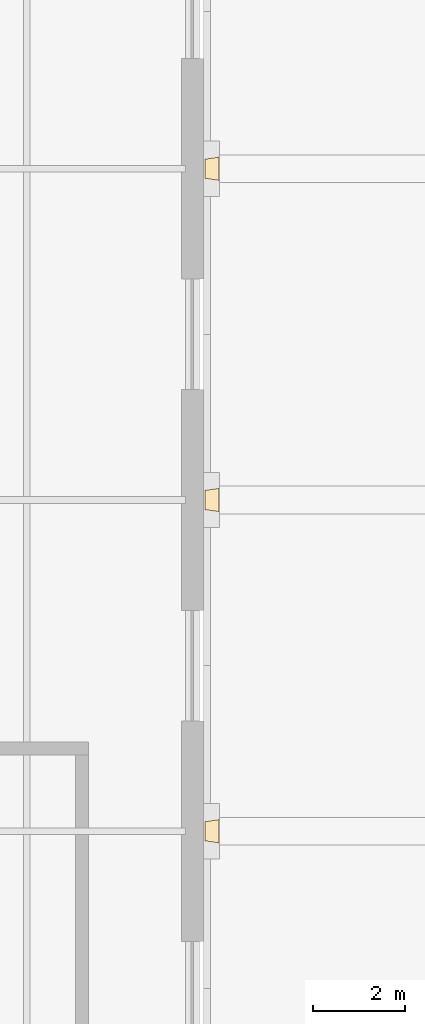
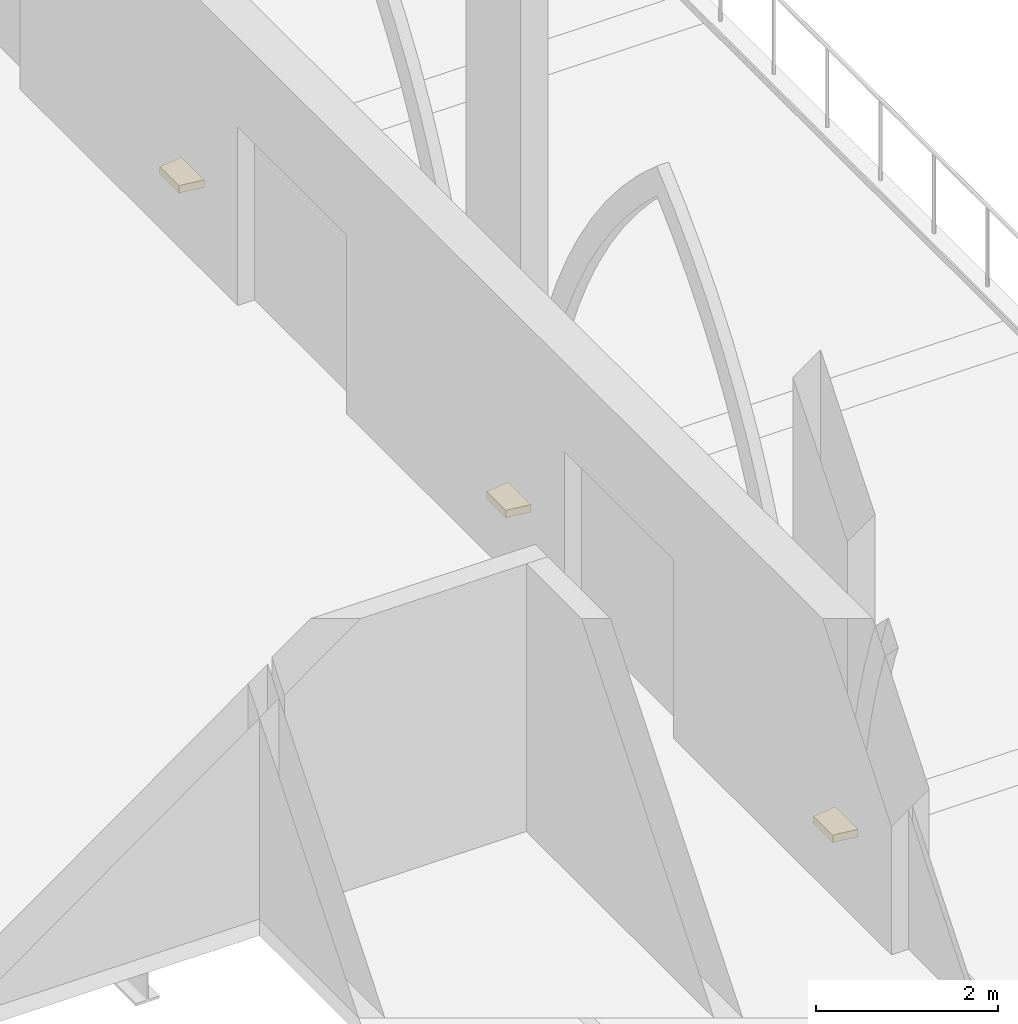
# One storey, part 138 of 143: 3 coverings.
"""IFC4 building model written with IfcOpenShell, lengths in metres."""

import ifcopenshell
import ifcopenshell.guid

model = None  # the IFC model being written
_history = None  # IfcOwnerHistory: only IFC2X3 demands one
_inside = {}  # id of a spatial element -> (the spatial element, [elements in it])
_under = {}  # id of a project, library or spatial element -> (it, [spatial elements below it])
_declared = {}  # id of a project -> (the project, [libraries it declares])
_typed = {}  # id of a type object -> (the type object, [elements of that type])
_made_of = {}  # id of a material, layer set ... -> (it, [elements and type objects made of it])


def new_model(schema):
    """Start an empty IFC model of exactly this schema.

    Asked for "IFC4X3", IfcOpenShell would pick the latest addendum, in which some entities
    have other attributes; the version numbers below select the first issue.
    IFC2X3 requires an IfcOwnerHistory on every rooted entity: one is made here for all.
    """
    global model, _history
    if schema == "IFC4X3":
        model = ifcopenshell.file(schema_version=(4, 3, 0, 0))
    else:
        model = ifcopenshell.file(schema=schema)
    _inside.clear()
    _under.clear()
    _declared.clear()
    _typed.clear()
    _made_of.clear()
    _history = None
    if model.schema == "IFC2X3":
        org = make("IfcOrganization", Name="unknown")
        user = make(
            "IfcPersonAndOrganization",
            ThePerson=make("IfcPerson", FamilyName="unknown"),
            TheOrganization=org,
        )
        app = make(
            "IfcApplication",
            ApplicationDeveloper=org,
            Version="unknown",
            ApplicationFullName="unknown",
            ApplicationIdentifier="unknown",
        )
        _history = make(
            "IfcOwnerHistory",
            OwningUser=user,
            OwningApplication=app,
            ChangeAction="ADDED",
            CreationDate=0,
        )
    return model


def make(cls, **values):
    """One entity of the class cls with the attributes given. An attribute that is None is left unset."""
    return model.create_entity(
        cls, **{name: value for name, value in values.items() if value is not None}
    )


def rooted(cls, **values):
    """An entity with a GlobalId (a new one), such as an element, a storey or a relation."""
    return make(cls, GlobalId=ifcopenshell.guid.new(), OwnerHistory=_history, **values)


def si_unit(unit_type, name, prefix=None):
    """IfcSIUnit, for example si_unit("LENGTHUNIT", "METRE", prefix="MILLI")."""
    return make("IfcSIUnit", UnitType=unit_type, Prefix=prefix, Name=name)


def assignment(units):
    """IfcUnitAssignment: the units of a project."""
    return None if units is None else make("IfcUnitAssignment", Units=units)


def point(xyz):
    """IfcCartesianPoint."""
    return None if xyz is None else make("IfcCartesianPoint", Coordinates=xyz)


def direction(xyz):
    """IfcDirection."""
    return None if xyz is None else make("IfcDirection", DirectionRatios=xyz)


def frame(location, z_axis=None, x_axis=None):
    """IfcAxis2Placement3D, a coordinate frame: its origin and axes. An axis left out is left unset."""
    return make(
        "IfcAxis2Placement3D",
        Location=point(location),
        Axis=direction(z_axis),
        RefDirection=direction(x_axis),
    )


def origin():
    """The frame at (0, 0, 0) with its axes left unset."""
    return frame((0.0, 0.0, 0.0))


def place(relative_to, where):
    """IfcLocalPlacement: puts the frame where relative to a parent placement (None: the world)."""
    return make(
        "IfcLocalPlacement", PlacementRelTo=relative_to, RelativePlacement=where
    )


def context(
    kind, dimensions, precision=None, world=None, true_north=None, identifier=None
):
    """IfcGeometricRepresentationContext, for example the 3D "Model" context."""
    return make(
        "IfcGeometricRepresentationContext",
        ContextIdentifier=identifier,
        ContextType=kind,
        CoordinateSpaceDimension=dimensions,
        Precision=precision,
        WorldCoordinateSystem=world,
        TrueNorth=true_north,
    )


def subcontext(parent, identifier, kind, view, scale=None):
    """IfcGeometricRepresentationSubContext, for example "Body" below "Model"."""
    return make(
        "IfcGeometricRepresentationSubContext",
        ContextIdentifier=identifier,
        ContextType=kind,
        ParentContext=parent,
        TargetScale=scale,
        TargetView=view,
    )


def project(units=None, contexts=None):
    """IfcProject with its units and contexts."""
    return rooted(
        "IfcProject",
        Name="project",
        RepresentationContexts=contexts,
        UnitsInContext=assignment(units),
    )


def spatial(cls, under=None, at=None, **own):
    """A site, building, storey or space (cls), placed at a placement, below another one or the project."""
    s = rooted(cls, ObjectPlacement=at, **own)
    if under is not None:
        _under.setdefault(under.id(), (under, []))[1].append(s)
    return s


def polyline(points):
    """IfcPolyline through the points."""
    return make("IfcPolyline", Points=[point(p) for p in points])


def outline(outer, holes=None, kind="AREA"):
    """IfcArbitraryClosedProfileDef: a profile drawn as a closed curve; with holes, ...WithVoids."""
    if holes is None:
        return make("IfcArbitraryClosedProfileDef", ProfileType=kind, OuterCurve=outer)
    return make(
        "IfcArbitraryProfileDefWithVoids",
        ProfileType=kind,
        OuterCurve=outer,
        InnerCurves=holes,
    )


def extrude(swept, where, along, depth):
    """IfcExtrudedAreaSolid: the profile swept, set in the frame where, extruded along a direction by depth."""
    return make(
        "IfcExtrudedAreaSolid",
        SweptArea=swept,
        Position=where,
        ExtrudedDirection=direction(along),
        Depth=depth,
    )


def shape(context_of_items, identifier, shape_type, items):
    """IfcShapeRepresentation: the items that make up one representation, for example the "Body"."""
    return make(
        "IfcShapeRepresentation",
        ContextOfItems=context_of_items,
        RepresentationIdentifier=identifier,
        RepresentationType=shape_type,
        Items=items,
    )


def material(Name=None, Category=None):
    """IfcMaterial."""
    return make("IfcMaterial", Name=Name, Category=Category)


def layer(
    of_material, thickness, ventilated=None, Name=None, Category=None, Priority=None
):
    """IfcMaterialLayer: one layer of a wall or slab, of a material (None: an air gap)."""
    return make(
        "IfcMaterialLayer",
        Material=of_material,
        LayerThickness=thickness,
        IsVentilated=ventilated,
        Name=Name,
        Category=Category,
        Priority=Priority,
    )


def layer_set(layers, Name=None):
    """IfcMaterialLayerSet."""
    return make("IfcMaterialLayerSet", MaterialLayers=layers, LayerSetName=Name)


def made_of(thing, what):
    """Note that an element or type object is made of a material, layer set ...; save() writes the relation."""
    if what is not None:
        _made_of.setdefault(what.id(), (what, []))[1].append(thing)
    return thing


def type_object(cls, material=None, **own):
    """A type object (cls), such as IfcWallType, which elements share."""
    return made_of(rooted(cls, **own), material)


def element(
    cls,
    number,
    at=None,
    inside=None,
    cuts=None,
    type_object=None,
    material=None,
    context=None,
    identifier="Body",
    shape_type=None,
    held_by="IfcProductDefinitionShape",
    body=None,
    shapes=None,
    **own,
):
    """One element of the class cls, such as IfcWall. Its Tag is "e" and its number.

    at: its placement. inside: the storey or other place that contains it. cuts: it is an
    opening in that element (IfcRelVoidsElement). A single representation is given by context,
    identifier, shape_type and body (its items); several are given by shapes. held_by: the class
    of the entity that holds the representations. save() writes the other relations.
    """
    e = rooted(cls, Tag="e%d" % number, ObjectPlacement=at, **own)
    if body is not None:
        shapes = [shape(context, identifier, shape_type, body)]
    if shapes is not None:
        e.Representation = make(held_by, Representations=shapes)
    if inside is not None:
        _inside.setdefault(inside.id(), (inside, []))[1].append(e)
    if cuts is not None:
        rooted(
            "IfcRelVoidsElement", RelatingBuildingElement=cuts, RelatedOpeningElement=e
        )
    if type_object is not None:
        _typed.setdefault(type_object.id(), (type_object, []))[1].append(e)
    return made_of(e, material)


def aggregate(whole, parts):
    """IfcRelAggregates: a whole, such as a stair, and the parts it consists of."""
    return rooted("IfcRelAggregates", RelatingObject=whole, RelatedObjects=parts)


def save(model, path):
    """Write the relations noted so far, then the file.

    IfcRelAggregates (storeys below a building ...), IfcRelContainedInSpatialStructure (elements
    in a storey), IfcRelDefinesByType, IfcRelAssociatesMaterial and IfcRelDeclares: one each for
    every whole, place, type object, material and project.
    """
    for whole, parts in _under.values():
        aggregate(whole, parts)
    for where, things in _inside.values():
        rooted(
            "IfcRelContainedInSpatialStructure",
            RelatedElements=things,
            RelatingStructure=where,
        )
    for kind, things in _typed.values():
        rooted("IfcRelDefinesByType", RelatedObjects=things, RelatingType=kind)
    for what, things in _made_of.values():
        rooted("IfcRelAssociatesMaterial", RelatedObjects=things, RelatingMaterial=what)
    for by, libraries in _declared.values():
        rooted("IfcRelDeclares", RelatingContext=by, RelatedDefinitions=libraries)
    model.write(path)


model = new_model("IFC4")

# Units and contexts
model_context = context("Model", 3, precision=1e-05, world=origin(), true_north=direction((0.0, 1.0)))
body_context = subcontext(model_context, "Body", "Model", "MODEL_VIEW")
ifc_project = project(units=[si_unit("LENGTHUNIT", "METRE"), si_unit("AREAUNIT", "SQUARE_METRE"), si_unit("VOLUMEUNIT", "CUBIC_METRE"), si_unit("PLANEANGLEUNIT", "RADIAN"), si_unit("MASSUNIT", "GRAM", prefix="KILO")], contexts=[model_context])

# Site, building, storey
site_placement = place(None, origin())
site = spatial("IfcSite", under=ifc_project, at=site_placement, CompositionType="ELEMENT")
building_placement = place(site_placement, origin())
building = spatial("IfcBuilding", under=site, at=building_placement, Name="Kupolbacken Congress Centre", CompositionType="ELEMENT")
storey_placement = place(building_placement, frame((0.0, 0.0, 7.199951171875)))
storey = spatial("IfcBuildingStorey", under=building, at=storey_placement, Name="L02", CompositionType="ELEMENT", Elevation=7.199951171875)

# Coverings
ifc_material = material(Name="Granite setts", Category="masonry")
ifc_layer = layer(ifc_material, 0.10009765625)
ifc_layer_set = layer_set([ifc_layer], Name="Granite setts")
covering_type = type_object("IfcCoveringType", Name="GR3 granite sett paving 100", PredefinedType="FLOORING", material=ifc_layer_set)
covering_1_placement = place(storey_placement, origin())
element("IfcCovering", 1, at=covering_1_placement, inside=storey, type_object=covering_type, Name="Granite kerb edging", PredefinedType="FLOORING", context=body_context, shape_type="SweptSolid", body=[
    extrude(outline(polyline([(202.175048828125, 129.347900390625), (201.933349609375, 129.383544921875), (201.876953125, 129.386474609375), (201.876953125, 129.813720703125), (201.933349609375, 129.81640625), (202.175048828125, 129.852294921875), (202.175048828125, 129.347900390625)])), origin(), (0.0, 0.0, 1.0), 0.10009765625),
])
covering_2_placement = place(storey_placement, origin())
element("IfcCovering", 2, at=covering_2_placement, inside=storey, type_object=covering_type, Name="Granite kerb edging", PredefinedType="FLOORING", context=body_context, shape_type="SweptSolid", body=[
    extrude(outline(polyline([(202.175048828125, 136.5478515625), (201.933349609375, 136.58349609375), (201.876953125, 136.58642578125), (201.876953125, 137.013671875), (201.933349609375, 137.016357421875), (202.175048828125, 137.05224609375), (202.175048828125, 136.5478515625)])), origin(), (0.0, 0.0, 1.0), 0.10009765625),
])
covering_3_placement = place(storey_placement, origin())
element("IfcCovering", 3, at=covering_3_placement, inside=storey, type_object=covering_type, Name="Granite kerb edging", PredefinedType="FLOORING", context=body_context, shape_type="SweptSolid", body=[
    extrude(outline(polyline([(202.175048828125, 143.747802734375), (201.933349609375, 143.78369140625), (201.876953125, 143.786376953125), (201.876953125, 144.213623046875), (201.933349609375, 144.21630859375), (202.175048828125, 144.252197265625), (202.175048828125, 143.747802734375)])), origin(), (0.0, 0.0, 1.0), 0.10009765625),
])

save(model, "model.ifc")
